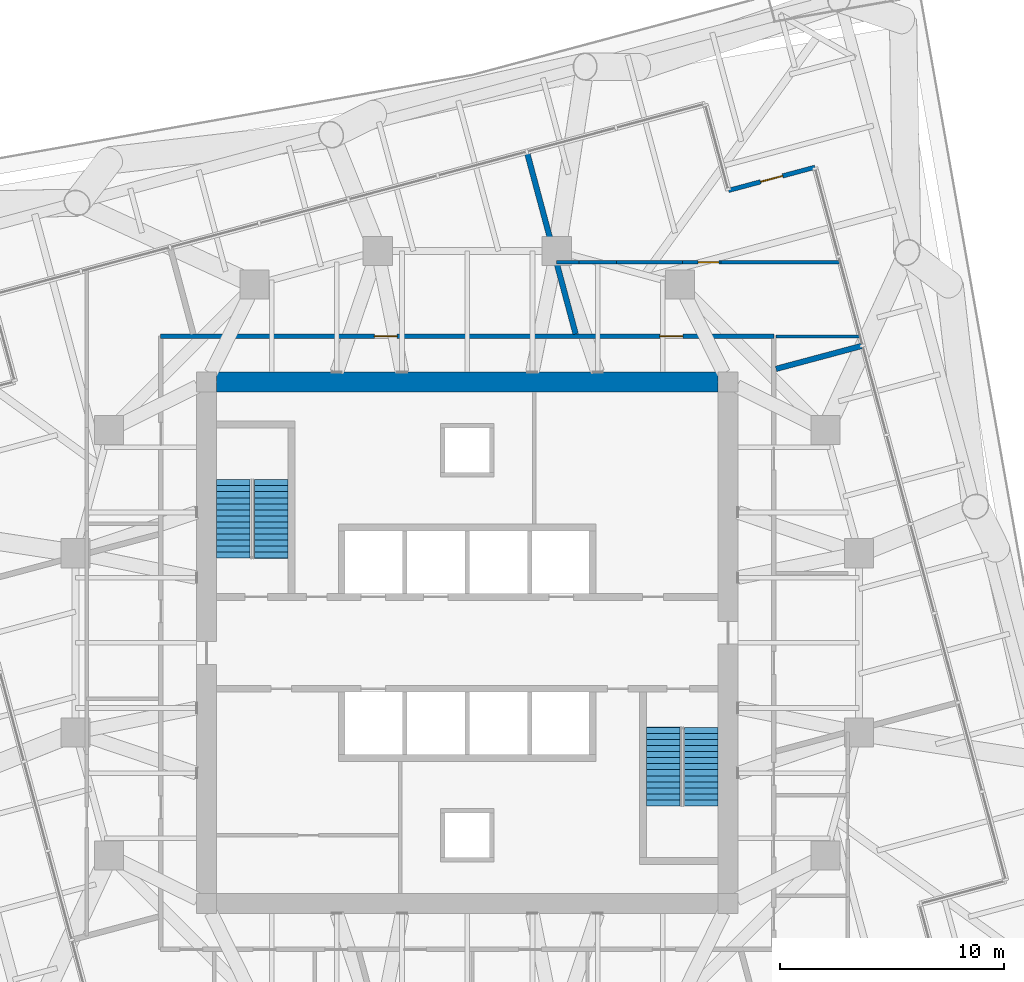
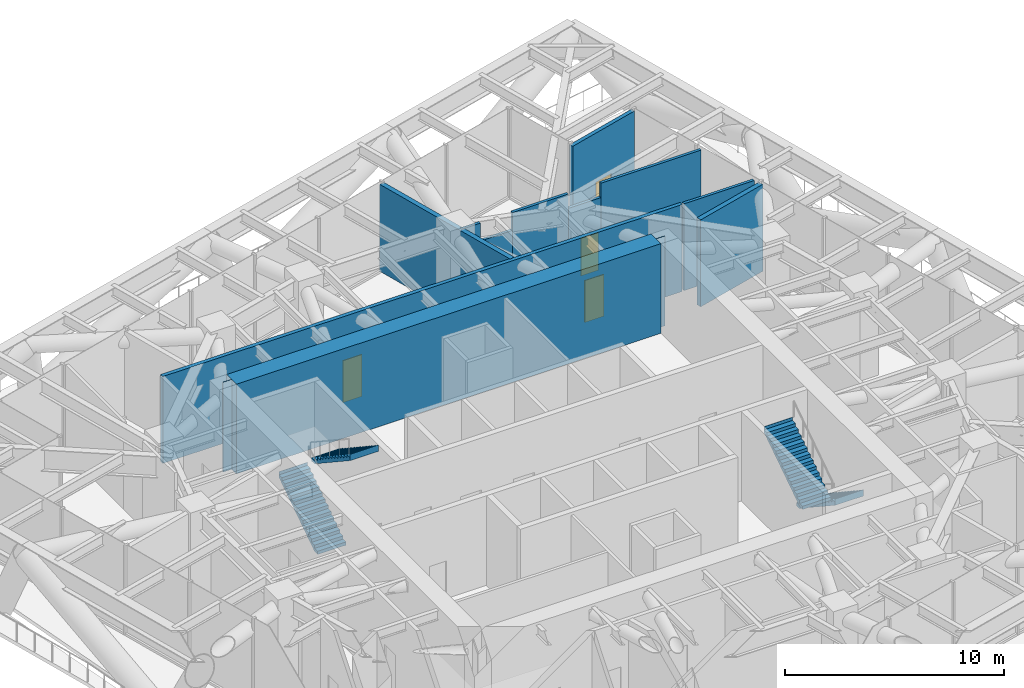
# One storey, part 11 of 14: 11 walls, 4 doors, 4 stair flights, 4 openings, 2 elements without a shape of their own.
"""IFC4 building model written with IfcOpenShell, lengths in metres."""

from ifc_helpers import new_model, si_unit, direction, frame, frame_2d, origin, place, context, subcontext, project, spatial, polyline, rectangle, outline, extrude, material, layer, layer_set, type_object, element, fill, aggregate, save


model = new_model("IFC4")

# Units and contexts
model_context = context("Model", 3, precision=1e-05, world=origin(), true_north=direction((0.0, 1.0)))
body_context = subcontext(model_context, "Body", "Model", "MODEL_VIEW")
ifc_project = project(units=[si_unit("LENGTHUNIT", "METRE"), si_unit("AREAUNIT", "SQUARE_METRE"), si_unit("VOLUMEUNIT", "CUBIC_METRE"), si_unit("PLANEANGLEUNIT", "RADIAN"), si_unit("MASSUNIT", "GRAM", prefix="KILO")], contexts=[model_context])

# Site, building, storey
site_placement = place(None, origin())
site = spatial("IfcSite", under=ifc_project, at=site_placement, CompositionType="ELEMENT")
building_placement = place(site_placement, origin())
building = spatial("IfcBuilding", under=site, at=building_placement, Name="Torsade Residences", CompositionType="ELEMENT")
storey_placement = place(building_placement, frame((0.0, 0.0, 106.60009765625)))
storey = spatial("IfcBuildingStorey", under=building, at=storey_placement, Name="L29", CompositionType="ELEMENT", Elevation=106.60009765625)

# Wall
ifc_material_1 = material(Name="Concrete 80 MPa", Category="concrete")
ifc_layer_1 = layer(ifc_material_1, 0.89990234375)
ifc_layer_set_1 = layer_set([ifc_layer_1], Name="Concrete 80 MPa")
wall_type_1 = type_object("IfcWallType", Name="CORE WALL 900", PredefinedType="SHEAR", material=ifc_layer_set_1)
wall_1_placement = place(storey_placement, frame((28.800048828125, 41.64990234375, 0.0), z_axis=(0.0, 0.0, 1.0), x_axis=(1.0, 0.0, 0.0)))
element("IfcWall", 1, at=wall_1_placement, inside=storey, type_object=wall_type_1, Name="Core wall N L29", PredefinedType="SHEAR", context=body_context, shape_type="SweptSolid", body=[
    extrude(outline(polyline([(0.0, -0.449951171875), (22.39990234375, -0.449951171875), (22.39990234375, -0.02490234375), (22.849853515625, -0.02490234375), (22.849853515625, 0.02490234375), (22.39990234375, 0.02490234375), (22.39990234375, 0.449951171875), (0.0, 0.449951171875), (0.0, 0.02490234375), (-0.449951171875, 0.02490234375), (-0.449951171875, -0.02490234375), (0.0, -0.02490234375), (0.0, -0.449951171875)])), origin(), (0.0, 0.0, 1.0), 5.0),
])

# Wall, openings, doors
ifc_material_2 = material(Name="Plasterboard on steel stud", Category="steel")
ifc_layer_2 = layer(ifc_material_2, 0.199951171875)
ifc_layer_set_2 = layer_set([ifc_layer_2], Name="Plasterboard on steel stud")
wall_type_2 = type_object("IfcWallType", Name="CORRIDOR WALL 200", PredefinedType="PARTITIONING", material=ifc_layer_set_2)
wall_2_placement = place(storey_placement, frame((53.699951171875, 43.699951171875, 0.0), z_axis=(0.0, 0.0, 1.0), x_axis=(-1.0, 0.0, 0.0)))
wall_2 = element("IfcWall", 2, at=wall_2_placement, inside=storey, type_object=wall_type_2, Name="Corridor wall L29", PredefinedType="PARTITIONING", context=body_context, shape_type="SweptSolid", body=[
    extrude(rectangle(XDim=27.39990234375, YDim=0.199951171875, at=frame_2d((13.699951171875, 0.0))), origin(), (0.0, 0.0, 1.0), 4.849853515625),
])
opening_1_placement = place(wall_2_placement, frame((16.834228515625, 0.0, 0.0)))
opening_1 = element("IfcOpeningElement", 3, at=opening_1_placement, cuts=wall_2, Name="Opening D01", PredefinedType="OPENING", context=body_context, shape_type="SweptSolid", body=[
    extrude(rectangle(XDim=1.02001953125, YDim=2.340087890625, at=frame_2d((0.510009765625, 1.169921875))), frame((0.0, 0.10986328125, 0.0), z_axis=(0.0, -1.0, 0.0), x_axis=(1.0, 0.0, 0.0)), (0.0, 0.0, 1.0), 0.219970703125),
])
opening_2_placement = place(wall_2_placement, frame((4.071044921875, 0.0, 0.0)))
opening_2 = element("IfcOpeningElement", 4, at=opening_2_placement, cuts=wall_2, Name="Opening D01", PredefinedType="OPENING", context=body_context, shape_type="SweptSolid", body=[
    extrude(rectangle(XDim=1.02001953125, YDim=2.340087890625, at=frame_2d((0.510009765625, 1.169921875))), frame((0.0, 0.10986328125, 0.0), z_axis=(0.0, -1.0, 0.0), x_axis=(1.0, 0.0, 0.0)), (0.0, 0.0, 1.0), 0.219970703125),
])
ifc_material_3 = material(Name="Solid-core timber fire door", Category="wood")
door_type_1 = type_object("IfcDoorType", Name="APARTMENT ENTRY DOOR 1020x2340", OperationType="NOTDEFINED", PredefinedType="DOOR", material=ifc_material_3)
door_1_placement = place(opening_1_placement, origin())
door_1 = element("IfcDoor", 5, at=door_1_placement, inside=storey, type_object=door_type_1, Name="Door Plant corridor to Refuge area", OperationType="SINGLE_SWING_LEFT", OverallHeight=2.340087890625, OverallWidth=1.02001953125, PredefinedType="DOOR", context=body_context, shape_type="SweptSolid", body=[
    extrude(rectangle(XDim=1.02001953125, YDim=2.340087890625, at=frame_2d((0.510009765625, 1.169921875))), frame((0.0, 0.02490234375, 0.0), z_axis=(0.0, -1.0, 0.0), x_axis=(1.0, 0.0, 0.0)), (0.0, 0.0, 1.0), 0.050048828125),
])
fill(opening_1, door_1)
door_2_placement = place(opening_2_placement, origin())
door_2 = element("IfcDoor", 6, at=door_2_placement, inside=storey, type_object=door_type_1, Name="Door Plant corridor to Pump room", OperationType="SINGLE_SWING_RIGHT", OverallHeight=2.340087890625, OverallWidth=1.02001953125, PredefinedType="DOOR", context=body_context, shape_type="SweptSolid", body=[
    extrude(rectangle(XDim=1.02001953125, YDim=2.340087890625, at=frame_2d((0.510009765625, 1.169921875))), frame((0.0, 0.02490234375, 0.0), z_axis=(0.0, -1.0, 0.0), x_axis=(1.0, 0.0, 0.0)), (0.0, 0.0, 1.0), 0.050048828125),
])
fill(opening_2, door_2)

# Walls
ifc_material_4 = material(Name="Masonry-lined stud party wall", Category="masonry")
ifc_layer_3 = layer(ifc_material_4, 0.25)
ifc_layer_set_3 = layer_set([ifc_layer_3], Name="Masonry-lined stud party wall")
wall_type_3 = type_object("IfcWallType", Name="PARTY WALL 250", PredefinedType="PARTITIONING", material=ifc_layer_set_3)
wall_3_placement = place(storey_placement, frame((57.666259765625, 43.274658203125, 0.0), z_axis=(0.0, 0.0, 1.0), x_axis=(-0.96592902462, -0.258807108475, 0.0)))
element("IfcWall", 7, at=wall_3_placement, inside=storey, type_object=wall_type_3, Name="Party wall L29", PredefinedType="PARTITIONING", context=body_context, shape_type="SweptSolid", body=[
    extrude(rectangle(XDim=4.009033203125, YDim=0.25, at=frame_2d((2.00439453125, 0.0))), origin(), (0.0, 0.0, 1.0), 4.849853515625),
])
wall_4_placement = place(storey_placement, frame((42.6630859375, 51.936767578125, 0.0), z_axis=(0.0, 0.0, 1.0), x_axis=(0.25881425273, -0.965927110389, 0.0)))
element("IfcWall", 8, at=wall_4_placement, inside=storey, type_object=wall_type_3, Name="Party wall L29", PredefinedType="PARTITIONING", context=body_context, shape_type="SweptSolid", body=[
    extrude(rectangle(XDim=8.430419921875, YDim=0.25, at=frame_2d((4.21533203125, 0.0))), origin(), (0.0, 0.0, 1.0), 4.849853515625),
])

# Wall, opening, door
ifc_material_5 = material(Name="Stone-faced precast concrete 40 MPa panel", Category="masonry")
ifc_layer_4 = layer(ifc_material_5, 0.199951171875)
ifc_layer_set_4 = layer_set([ifc_layer_4], Name="Stone-faced precast concrete 40 MPa panel")
wall_type_4 = type_object("IfcWallType", Name="PLANT ROOM EXTERNAL WALL 200", PredefinedType="SOLIDWALL", material=ifc_layer_set_4)
wall_5_placement = place(storey_placement, frame((55.531005859375, 51.24365234375, 0.0), z_axis=(0.0, 0.0, 1.0), x_axis=(-0.965919172068, -0.258843877716, 0.0)))
wall_5 = element("IfcWall", 9, at=wall_5_placement, inside=storey, type_object=wall_type_4, Name="Plant room wall L29 5", PredefinedType="SOLIDWALL", context=body_context, shape_type="SweptSolid", body=[
    extrude(rectangle(XDim=4.0, YDim=0.199951171875, at=frame_2d((2.0, 0.0))), origin(), (0.0, 0.0, 1.0), 4.849853515625),
])
opening_3_placement = place(wall_5_placement, frame((1.489990234375, 0.0, 0.0)))
opening_3 = element("IfcOpeningElement", 10, at=opening_3_placement, cuts=wall_5, Name="Opening D11", PredefinedType="OPENING", context=body_context, shape_type="SweptSolid", body=[
    extrude(rectangle(XDim=1.02001953125, YDim=2.10009765625, at=frame_2d((0.510009765625, 1.050048828125))), frame((0.0, 0.10986328125, 0.0), z_axis=(0.0, -1.0, 0.0), x_axis=(1.0, 0.0, 0.0)), (0.0, 0.0, 1.0), 0.219970703125),
])
ifc_material_6 = material(Name="Steel-framed external door", Category="steel")
door_type_2 = type_object("IfcDoorType", Name="MAINTENANCE ROOF DOOR 1020", OperationType="NOTDEFINED", PredefinedType="DOOR", material=ifc_material_6)
door_3_placement = place(opening_3_placement, origin())
door_3 = element("IfcDoor", 11, at=door_3_placement, inside=storey, type_object=door_type_2, Name="Maintenance roof door L29", OperationType="SINGLE_SWING_LEFT", OverallHeight=2.10009765625, OverallWidth=1.02001953125, PredefinedType="DOOR", context=body_context, shape_type="SweptSolid", body=[
    extrude(rectangle(XDim=1.02001953125, YDim=2.10009765625, at=frame_2d((0.510009765625, 1.050048828125))), frame((0.0, 0.02490234375, 0.0), z_axis=(0.0, -1.0, 0.0), x_axis=(1.0, 0.0, 0.0)), (0.0, 0.0, 1.0), 0.050048828125),
])
fill(opening_3, door_3)

# Walls
ifc_material_7 = material(Name="Reinforced blockwork", Category="masonry")
ifc_layer_5 = layer(ifc_material_7, 0.14990234375)
ifc_layer_set_5 = layer_set([ifc_layer_5], Name="Reinforced blockwork")
wall_type_5 = type_object("IfcWallType", Name="SERVICE ROOM WALL 150", PredefinedType="SOLIDWALL", material=ifc_layer_set_5)
wall_6_placement = place(storey_placement, frame((53.800048828125, 43.68310546875, 0.0), z_axis=(0.0, 0.0, 1.0), x_axis=(1.0, 0.0, 0.0)))
element("IfcWall", 12, at=wall_6_placement, inside=storey, type_object=wall_type_5, Name="Service room wall L29", PredefinedType="SOLIDWALL", context=body_context, shape_type="SweptSolid", body=[
    extrude(rectangle(XDim=3.716796875, YDim=0.14990234375, at=frame_2d((1.8583984375, 0.0))), origin(), (0.0, 0.0, 1.0), 4.849853515625),
])
wall_7_placement = place(storey_placement, frame((43.98583984375, 47.0, 0.0), z_axis=(0.0, 0.0, 1.0), x_axis=(1.0, 0.0, 0.0)))
element("IfcWall", 13, at=wall_7_placement, inside=storey, type_object=wall_type_5, Name="Service room wall L29", PredefinedType="SOLIDWALL", context=body_context, shape_type="SweptSolid", body=[
    extrude(rectangle(XDim=1.00244140625, YDim=0.14990234375, at=frame_2d((0.501220703125, 0.0))), origin(), (0.0, 0.0, 1.0), 4.849853515625),
])
wall_8_placement = place(storey_placement, frame((44.98828125, 47.0, 0.0), z_axis=(0.0, 0.0, 1.0), x_axis=(1.0, 0.0, 0.0)))
element("IfcWall", 14, at=wall_8_placement, inside=storey, type_object=wall_type_5, Name="Service room wall L29", PredefinedType="SOLIDWALL", context=body_context, shape_type="SweptSolid", body=[
    extrude(rectangle(XDim=1.690185546875, YDim=0.14990234375, at=frame_2d((0.84521484375, 0.0))), origin(), (0.0, 0.0, 1.0), 3.849853515625),
])
wall_9_placement = place(storey_placement, frame((46.678466796875, 47.0, 0.0), z_axis=(0.0, 0.0, 1.0), x_axis=(1.0, 0.0, 0.0)))
element("IfcWall", 15, at=wall_9_placement, inside=storey, type_object=wall_type_5, Name="Service room wall L29", PredefinedType="SOLIDWALL", context=body_context, shape_type="SweptSolid", body=[
    extrude(rectangle(XDim=2.94189453125, YDim=0.14990234375, at=frame_2d((1.470947265625, 0.0))), origin(), (0.0, 0.0, 1.0), 4.849853515625),
])

# Wall, opening, door
wall_10_placement = place(storey_placement, frame((49.620361328125, 47.0, 0.0), z_axis=(0.0, 0.0, 1.0), x_axis=(1.0, 0.0, 0.0)))
wall_10 = element("IfcWall", 16, at=wall_10_placement, inside=storey, type_object=wall_type_5, Name="Service room wall L29", PredefinedType="SOLIDWALL", context=body_context, shape_type="SweptSolid", body=[
    extrude(rectangle(XDim=1.718994140625, YDim=0.14990234375, at=frame_2d((0.859375, 0.0))), origin(), (0.0, 0.0, 1.0), 4.048828125),
])
opening_4_placement = place(wall_10_placement, frame((0.696533203125, 0.0, 0.0)))
opening_4 = element("IfcOpeningElement", 17, at=opening_4_placement, cuts=wall_10, Name="Opening D06", PredefinedType="OPENING", context=body_context, shape_type="SweptSolid", body=[
    extrude(rectangle(XDim=0.919921875, YDim=2.10009765625, at=frame_2d((0.4599609375, 1.050048828125))), frame((0.0, 0.0849609375, 0.0), z_axis=(0.0, -1.0, 0.0), x_axis=(1.0, 0.0, 0.0)), (0.0, 0.0, 1.0), 0.169921875),
])
ifc_material_8 = material(Name="Steel-framed fire door", Category="steel")
door_type_3 = type_object("IfcDoorType", Name="FIRE DOOR 920", OperationType="NOTDEFINED", PredefinedType="DOOR", material=ifc_material_8)
door_4_placement = place(opening_4_placement, origin())
door_4 = element("IfcDoor", 18, at=door_4_placement, inside=storey, type_object=door_type_3, Name="Door Pump room to Mechanical plant room", OperationType="SINGLE_SWING_LEFT", OverallHeight=2.10009765625, OverallWidth=0.919921875, PredefinedType="DOOR", context=body_context, shape_type="SweptSolid", body=[
    extrude(rectangle(XDim=0.919921875, YDim=2.10009765625, at=frame_2d((0.4599609375, 1.050048828125))), frame((0.0, 0.02490234375, 0.0), z_axis=(0.0, -1.0, 0.0), x_axis=(1.0, 0.0, 0.0)), (0.0, 0.0, 1.0), 0.050048828125),
])
fill(opening_4, door_4)

# Wall
wall_11_placement = place(storey_placement, frame((51.33935546875, 47.0, 0.0), z_axis=(0.0, 0.0, 1.0), x_axis=(1.0, 0.0, 0.0)))
element("IfcWall", 19, at=wall_11_placement, inside=storey, type_object=wall_type_5, Name="Service room wall L29", PredefinedType="SOLIDWALL", context=body_context, shape_type="SweptSolid", body=[
    extrude(rectangle(XDim=5.287353515625, YDim=0.14990234375, at=frame_2d((2.6435546875, 0.0))), origin(), (0.0, 0.0, 1.0), 4.849853515625),
])

# Stair, stair flights
ifc_material_9 = material(Name="Precast concrete 40 MPa", Category="concrete")
stair_type = type_object("IfcStairType", Name="HALF-TURN FIRE STAIR 1500x5000", PredefinedType="HALF_TURN_STAIR", material=ifc_material_9)
stair_1_placement = place(storey_placement, origin())
stair_1 = element("IfcStair", 20, at=stair_1_placement, inside=storey, type_object=stair_type, Name="Stair ST1 L29", PredefinedType="HALF_TURN_STAIR")
ifc_material_10 = material(Name="Precast concrete 40 MPa", Category="concrete")
stair_flight_type = type_object("IfcStairFlightType", Name="PRECAST STAIR FLIGHT 1500x2500", PredefinedType="STRAIGHT", material=ifc_material_10)
stair_flight_1_placement = place(storey_placement, frame((29.550048828125, 33.780029296875, 0.0), z_axis=(0.0, 0.0, 1.0), x_axis=(0.0, 1.0, 0.0)))
stair_flight_1 = element("IfcStairFlight", 21, at=stair_flight_1_placement, type_object=stair_flight_type, Name="ST1 flight 1", NumberOfRisers=14, NumberOfTreads=13, PredefinedType="STRAIGHT", RiserHeight=0.178571429, TreadLength=0.27, context=body_context, shape_type="SweptSolid", body=[
    extrude(outline(polyline([(0.0, 0.0), (0.0, 0.178466796875), (0.27001953125, 0.178466796875), (0.27001953125, 0.357177734375), (0.5400390625, 0.357177734375), (0.5400390625, 0.53564453125), (0.81005859375, 0.53564453125), (0.81005859375, 0.71435546875), (1.080078125, 0.71435546875), (1.080078125, 0.892822265625), (1.35009765625, 0.892822265625), (1.35009765625, 1.071533203125), (1.6201171875, 1.071533203125), (1.6201171875, 1.25), (1.889892578125, 1.25), (1.889892578125, 1.428466796875), (2.159912109375, 1.428466796875), (2.159912109375, 1.607177734375), (2.429931640625, 1.607177734375), (2.429931640625, 1.78564453125), (2.699951171875, 1.78564453125), (2.699951171875, 1.96435546875), (2.969970703125, 1.96435546875), (2.969970703125, 2.142822265625), (3.239990234375, 2.142822265625), (3.239990234375, 2.321533203125), (3.510009765625, 2.321533203125), (3.510009765625, 2.5), (3.52001953125, 2.5), (3.52001953125, 2.1416015625), (3.510009765625, 2.1416015625), (0.271728515625, 0.0), (0.0, 0.0)])), frame((0.0, 0.75, 0.0), z_axis=(0.0, -1.0, 0.0), x_axis=(1.0, 0.0, 0.0)), (0.0, 0.0, 1.0), 1.5),
])
stair_flight_2_placement = place(storey_placement, frame((31.25, 37.2900390625, 2.5), z_axis=(0.0, 0.0, 1.0), x_axis=(0.0, -1.0, 0.0)))
stair_flight_2 = element("IfcStairFlight", 22, at=stair_flight_2_placement, type_object=stair_flight_type, Name="ST1 flight 2", NumberOfRisers=14, NumberOfTreads=13, PredefinedType="STRAIGHT", RiserHeight=0.178571429, TreadLength=0.27, context=body_context, shape_type="SweptSolid", body=[
    extrude(outline(polyline([(0.0, 0.0), (0.0, 0.178466796875), (0.27001953125, 0.178466796875), (0.27001953125, 0.357177734375), (0.5400390625, 0.357177734375), (0.5400390625, 0.53564453125), (0.81005859375, 0.53564453125), (0.81005859375, 0.71435546875), (1.080078125, 0.71435546875), (1.080078125, 0.892822265625), (1.35009765625, 0.892822265625), (1.35009765625, 1.071533203125), (1.6201171875, 1.071533203125), (1.6201171875, 1.25), (1.889892578125, 1.25), (1.889892578125, 1.428466796875), (2.159912109375, 1.428466796875), (2.159912109375, 1.607177734375), (2.429931640625, 1.607177734375), (2.429931640625, 1.78564453125), (2.699951171875, 1.78564453125), (2.699951171875, 1.96435546875), (2.969970703125, 1.96435546875), (2.969970703125, 2.142822265625), (3.239990234375, 2.142822265625), (3.239990234375, 2.321533203125), (3.510009765625, 2.321533203125), (3.510009765625, 2.5), (3.52001953125, 2.5), (3.52001953125, 2.1416015625), (3.510009765625, 2.1416015625), (0.271728515625, 0.0), (0.0, 0.0)])), frame((0.0, 0.75, 0.0), z_axis=(0.0, -1.0, 0.0), x_axis=(1.0, 0.0, 0.0)), (0.0, 0.0, 1.0), 1.5),
])
aggregate(stair_1, [stair_flight_1, stair_flight_2])

stair_2_placement = place(storey_placement, origin())
stair_2 = element("IfcStair", 23, at=stair_2_placement, inside=storey, type_object=stair_type, Name="Stair ST2 L29", PredefinedType="HALF_TURN_STAIR")
stair_flight_3_placement = place(storey_placement, frame((50.449951171875, 26.219970703125, 0.0), z_axis=(0.0, 0.0, 1.0), x_axis=(0.0, -1.0, 0.0)))
stair_flight_3 = element("IfcStairFlight", 24, at=stair_flight_3_placement, type_object=stair_flight_type, Name="ST2 flight 1", NumberOfRisers=14, NumberOfTreads=13, PredefinedType="STRAIGHT", RiserHeight=0.178571429, TreadLength=0.27, context=body_context, shape_type="SweptSolid", body=[
    extrude(outline(polyline([(0.0, 0.0), (0.0, 0.178466796875), (0.27001953125, 0.178466796875), (0.27001953125, 0.357177734375), (0.5400390625, 0.357177734375), (0.5400390625, 0.53564453125), (0.81005859375, 0.53564453125), (0.81005859375, 0.71435546875), (1.080078125, 0.71435546875), (1.080078125, 0.892822265625), (1.35009765625, 0.892822265625), (1.35009765625, 1.071533203125), (1.6201171875, 1.071533203125), (1.6201171875, 1.25), (1.889892578125, 1.25), (1.889892578125, 1.428466796875), (2.159912109375, 1.428466796875), (2.159912109375, 1.607177734375), (2.429931640625, 1.607177734375), (2.429931640625, 1.78564453125), (2.699951171875, 1.78564453125), (2.699951171875, 1.96435546875), (2.969970703125, 1.96435546875), (2.969970703125, 2.142822265625), (3.239990234375, 2.142822265625), (3.239990234375, 2.321533203125), (3.510009765625, 2.321533203125), (3.510009765625, 2.5), (3.52001953125, 2.5), (3.52001953125, 2.1416015625), (3.510009765625, 2.1416015625), (0.271728515625, 0.0), (0.0, 0.0)])), frame((0.0, 0.75, 0.0), z_axis=(0.0, -1.0, 0.0), x_axis=(1.0, 0.0, 0.0)), (0.0, 0.0, 1.0), 1.5),
])
stair_flight_4_placement = place(storey_placement, frame((48.75, 22.7099609375, 2.5), z_axis=(0.0, 0.0, 1.0), x_axis=(0.0, 1.0, 0.0)))
stair_flight_4 = element("IfcStairFlight", 25, at=stair_flight_4_placement, type_object=stair_flight_type, Name="ST2 flight 2", NumberOfRisers=14, NumberOfTreads=13, PredefinedType="STRAIGHT", RiserHeight=0.178571429, TreadLength=0.27, context=body_context, shape_type="SweptSolid", body=[
    extrude(outline(polyline([(0.0, 0.0), (0.0, 0.178466796875), (0.27001953125, 0.178466796875), (0.27001953125, 0.357177734375), (0.5400390625, 0.357177734375), (0.5400390625, 0.53564453125), (0.81005859375, 0.53564453125), (0.81005859375, 0.71435546875), (1.080078125, 0.71435546875), (1.080078125, 0.892822265625), (1.35009765625, 0.892822265625), (1.35009765625, 1.071533203125), (1.6201171875, 1.071533203125), (1.6201171875, 1.25), (1.889892578125, 1.25), (1.889892578125, 1.428466796875), (2.159912109375, 1.428466796875), (2.159912109375, 1.607177734375), (2.429931640625, 1.607177734375), (2.429931640625, 1.78564453125), (2.699951171875, 1.78564453125), (2.699951171875, 1.96435546875), (2.969970703125, 1.96435546875), (2.969970703125, 2.142822265625), (3.239990234375, 2.142822265625), (3.239990234375, 2.321533203125), (3.510009765625, 2.321533203125), (3.510009765625, 2.5), (3.52001953125, 2.5), (3.52001953125, 2.1416015625), (3.510009765625, 2.1416015625), (0.271728515625, 0.0), (0.0, 0.0)])), frame((0.0, 0.75, 0.0), z_axis=(0.0, -1.0, 0.0), x_axis=(1.0, 0.0, 0.0)), (0.0, 0.0, 1.0), 1.5),
])
aggregate(stair_2, [stair_flight_3, stair_flight_4])

save(model, "model.ifc")
